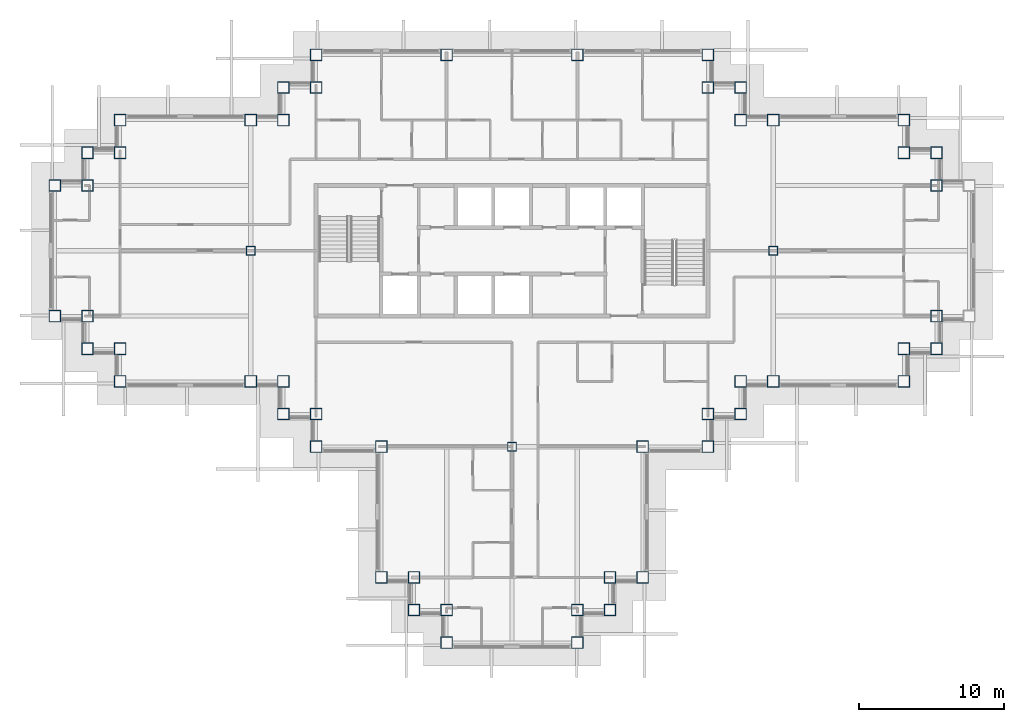
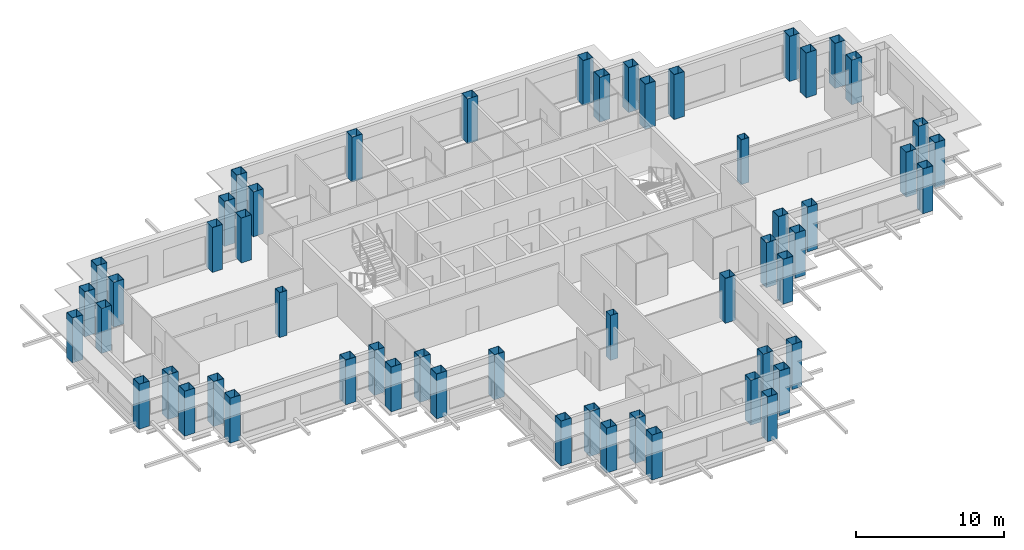
# One storey, part 1 of 14: 55 columns.
"""IFC4 building model written with IfcOpenShell, lengths in metres."""

from ifc_helpers import new_model, si_unit, direction, frame, origin, origin_2d, place, context, subcontext, project, spatial, hollow_rectangle, extrude, material, material_profile, profile_set, type_object, element, save


model = new_model("IFC4")

# Units and contexts
model_context = context("Model", 3, precision=1e-05, world=origin(), true_north=direction((0.0, 1.0)))
body_context = subcontext(model_context, "Body", "Model", "MODEL_VIEW")
ifc_project = project(units=[si_unit("LENGTHUNIT", "METRE"), si_unit("AREAUNIT", "SQUARE_METRE"), si_unit("VOLUMEUNIT", "CUBIC_METRE"), si_unit("PLANEANGLEUNIT", "RADIAN"), si_unit("MASSUNIT", "GRAM", prefix="KILO")], contexts=[model_context])

# Site, building, storey
site_placement = place(None, origin())
site = spatial("IfcSite", under=ifc_project, at=site_placement, CompositionType="ELEMENT")
building_placement = place(site_placement, origin())
building = spatial("IfcBuilding", under=site, at=building_placement, Name="Caravel Reach Hotel and Residences", CompositionType="ELEMENT")
storey_placement = place(building_placement, frame((0.0, 0.0, 161.699951171875)))
storey = spatial("IfcBuildingStorey", under=building, at=storey_placement, Name="L40", CompositionType="ELEMENT", Elevation=161.699951171875)

# Columns
ifc_material_1 = material(Name="Concrete-filled steel tube Q390B with Concrete C60 infill", Category="concrete")
ifc_material_profile_1 = material_profile(ifc_material_1, hollow_rectangle(XDim=0.60009765625, YDim=0.60009765625, WallThickness=0.02001953125, at=origin_2d()), Name="RHS 600x600x20")
ifc_profile_set_1 = profile_set([ifc_material_profile_1], Name="Concrete-filled steel tube Q390B with Concrete C60 infill")
column_type_1 = type_object("IfcColumnType", Name="CFT 600x600 Q390B C60", PredefinedType="COLUMN", material=ifc_profile_set_1)
for number, where, z_axis, x_axis, name in (
    (1, (31.5, 13.5, 0.0), (0.0, 0.0, 1.0), (1.0, 0.0, 0.0), "C8 column"),
    (2, (13.5, 27.0, 0.0), (0.0, 0.0, 1.0), (1.0, 0.0, 0.0), "C8 column"),
    (3, (49.5, 27.0, 0.0), (0.0, 0.0, 1.0), (1.0, 0.0, 0.0), "C8 column"),
):
    element("IfcColumn", number, at=place(storey_placement, frame(where, z_axis=z_axis, x_axis=x_axis)), inside=storey, type_object=column_type_1, Name=name, PredefinedType="COLUMN", context=body_context, shape_type="SweptSolid", body=[
        extrude(hollow_rectangle(XDim=0.60009765625, YDim=0.60009765625, WallThickness=0.02001953125, at=origin_2d()), origin(), (0.0, 0.0, 1.0), 3.699951171875),
    ])
ifc_material_2 = material(Name="Concrete-filled steel tube Q390B with Concrete C60 infill", Category="concrete")
ifc_material_profile_2 = material_profile(ifc_material_2, hollow_rectangle(XDim=0.800048828125, YDim=0.800048828125, WallThickness=0.02490234375, at=origin_2d()), Name="RHS 800x800x25")
ifc_profile_set_2 = profile_set([ifc_material_profile_2], Name="Concrete-filled steel tube Q390B with Concrete C60 infill")
column_type_2 = type_object("IfcColumnType", Name="CFT 800x800 Q390B C60", PredefinedType="COLUMN", material=ifc_profile_set_2)
for number, where, z_axis, x_axis, name in (
    (4, (22.5, 4.5, 0.0), (0.0, 0.0, 1.0), (1.0, 0.0, 0.0), "C5 column"),
    (5, (24.75, 4.5, 0.0), (0.0, 0.0, 1.0), (1.0, 0.0, 0.0), "C5 column"),
    (6, (24.75, 2.25, 0.0), (0.0, 0.0, 1.0), (1.0, 0.0, 0.0), "C5 column"),
    (7, (27.0, 2.25, 0.0), (0.0, 0.0, 1.0), (1.0, 0.0, 0.0), "C5 column"),
    (8, (27.0, 0.0, 0.0), (0.0, 0.0, 1.0), (1.0, 0.0, 0.0), "C5 column"),
    (9, (36.0, 0.0, 0.0), (0.0, 0.0, 1.0), (1.0, 0.0, 0.0), "C5 column"),
    (10, (36.0, 2.25, 0.0), (0.0, 0.0, 1.0), (1.0, 0.0, 0.0), "C5 column"),
    (11, (38.25, 2.25, 0.0), (0.0, 0.0, 1.0), (1.0, 0.0, 0.0), "C5 column"),
    (12, (38.25, 4.5, 0.0), (0.0, 0.0, 1.0), (1.0, 0.0, 0.0), "C5 column"),
    (13, (40.5, 4.5, 0.0), (0.0, 0.0, 1.0), (1.0, 0.0, 0.0), "C5 column"),
    (14, (40.5, 13.5, 0.0), (0.0, 0.0, 1.0), (1.0, 0.0, 0.0), "C5 column"),
    (15, (45.0, 13.5, 0.0), (0.0, 0.0, 1.0), (1.0, 0.0, 0.0), "C5 column"),
    (16, (45.0, 15.75, 0.0), (0.0, 0.0, 1.0), (1.0, 0.0, 0.0), "C5 column"),
    (17, (47.25, 15.75, 0.0), (0.0, 0.0, 1.0), (1.0, 0.0, 0.0), "C5 column"),
    (18, (47.25, 18.0, 0.0), (0.0, 0.0, 1.0), (1.0, 0.0, 0.0), "C5 column"),
    (19, (49.5, 18.0, 0.0), (0.0, 0.0, 1.0), (1.0, 0.0, 0.0), "C5 column"),
    (20, (58.5, 18.0, 0.0), (0.0, 0.0, 1.0), (1.0, 0.0, 0.0), "C5 column"),
    (21, (58.5, 20.25, 0.0), (0.0, 0.0, 1.0), (1.0, 0.0, 0.0), "C5 column"),
    (22, (60.75, 20.25, 0.0), (0.0, 0.0, 1.0), (1.0, 0.0, 0.0), "C5 column"),
    (23, (60.75, 22.5, 0.0), (0.0, 0.0, 1.0), (1.0, 0.0, 0.0), "C5 column"),
    (24, (60.75, 31.5, 0.0), (0.0, 0.0, 1.0), (1.0, 0.0, 0.0), "C5 column"),
    (25, (60.75, 33.75, 0.0), (0.0, 0.0, 1.0), (1.0, 0.0, 0.0), "C5 column"),
    (26, (58.5, 33.75, 0.0), (0.0, 0.0, 1.0), (1.0, 0.0, 0.0), "C5 column"),
    (27, (58.5, 36.0, 0.0), (0.0, 0.0, 1.0), (1.0, 0.0, 0.0), "C5 column"),
    (28, (49.5, 36.0, 0.0), (0.0, 0.0, 1.0), (1.0, 0.0, 0.0), "C5 column"),
    (29, (47.25, 36.0, 0.0), (0.0, 0.0, 1.0), (1.0, 0.0, 0.0), "C5 column"),
    (30, (47.25, 38.25, 0.0), (0.0, 0.0, 1.0), (1.0, 0.0, 0.0), "C5 column"),
    (31, (45.0, 38.25, 0.0), (0.0, 0.0, 1.0), (1.0, 0.0, 0.0), "C5 column"),
    (32, (45.0, 40.5, 0.0), (0.0, 0.0, 1.0), (1.0, 0.0, 0.0), "C5 column"),
    (33, (36.0, 40.5, 0.0), (0.0, 0.0, 1.0), (1.0, 0.0, 0.0), "C5 column"),
    (34, (27.0, 40.5, 0.0), (0.0, 0.0, 1.0), (1.0, 0.0, 0.0), "C5 column"),
    (35, (18.0, 40.5, 0.0), (0.0, 0.0, 1.0), (1.0, 0.0, 0.0), "C5 column"),
    (36, (18.0, 38.25, 0.0), (0.0, 0.0, 1.0), (1.0, 0.0, 0.0), "C5 column"),
    (37, (15.75, 38.25, 0.0), (0.0, 0.0, 1.0), (1.0, 0.0, 0.0), "C5 column"),
    (38, (15.75, 36.0, 0.0), (0.0, 0.0, 1.0), (1.0, 0.0, 0.0), "C5 column"),
    (39, (13.5, 36.0, 0.0), (0.0, 0.0, 1.0), (1.0, 0.0, 0.0), "C5 column"),
    (40, (4.5, 36.0, 0.0), (0.0, 0.0, 1.0), (1.0, 0.0, 0.0), "C5 column"),
    (41, (4.5, 33.75, 0.0), (0.0, 0.0, 1.0), (1.0, 0.0, 0.0), "C5 column"),
    (42, (2.25, 33.75, 0.0), (0.0, 0.0, 1.0), (1.0, 0.0, 0.0), "C5 column"),
    (43, (2.25, 31.5, 0.0), (0.0, 0.0, 1.0), (1.0, 0.0, 0.0), "C5 column"),
    (44, (0.0, 31.5, 0.0), (0.0, 0.0, 1.0), (1.0, 0.0, 0.0), "C5 column"),
    (45, (0.0, 22.5, 0.0), (0.0, 0.0, 1.0), (1.0, 0.0, 0.0), "C5 column"),
    (46, (2.25, 22.5, 0.0), (0.0, 0.0, 1.0), (1.0, 0.0, 0.0), "C5 column"),
    (47, (2.25, 20.25, 0.0), (0.0, 0.0, 1.0), (1.0, 0.0, 0.0), "C5 column"),
    (48, (4.5, 20.25, 0.0), (0.0, 0.0, 1.0), (1.0, 0.0, 0.0), "C5 column"),
    (49, (4.5, 18.0, 0.0), (0.0, 0.0, 1.0), (1.0, 0.0, 0.0), "C5 column"),
    (50, (13.5, 18.0, 0.0), (0.0, 0.0, 1.0), (1.0, 0.0, 0.0), "C5 column"),
    (51, (15.75, 18.0, 0.0), (0.0, 0.0, 1.0), (1.0, 0.0, 0.0), "C5 column"),
    (52, (15.75, 15.75, 0.0), (0.0, 0.0, 1.0), (1.0, 0.0, 0.0), "C5 column"),
    (53, (18.0, 15.75, 0.0), (0.0, 0.0, 1.0), (1.0, 0.0, 0.0), "C5 column"),
    (54, (18.0, 13.5, 0.0), (0.0, 0.0, 1.0), (1.0, 0.0, 0.0), "C5 column"),
    (55, (22.5, 13.5, 0.0), (0.0, 0.0, 1.0), (1.0, 0.0, 0.0), "C5 column"),
):
    element("IfcColumn", number, at=place(storey_placement, frame(where, z_axis=z_axis, x_axis=x_axis)), inside=storey, type_object=column_type_2, Name=name, PredefinedType="COLUMN", context=body_context, shape_type="SweptSolid", body=[
        extrude(hollow_rectangle(XDim=0.800048828125, YDim=0.800048828125, WallThickness=0.02490234375, at=origin_2d()), origin(), (0.0, 0.0, 1.0), 3.699951171875),
    ])

save(model, "model.ifc")
